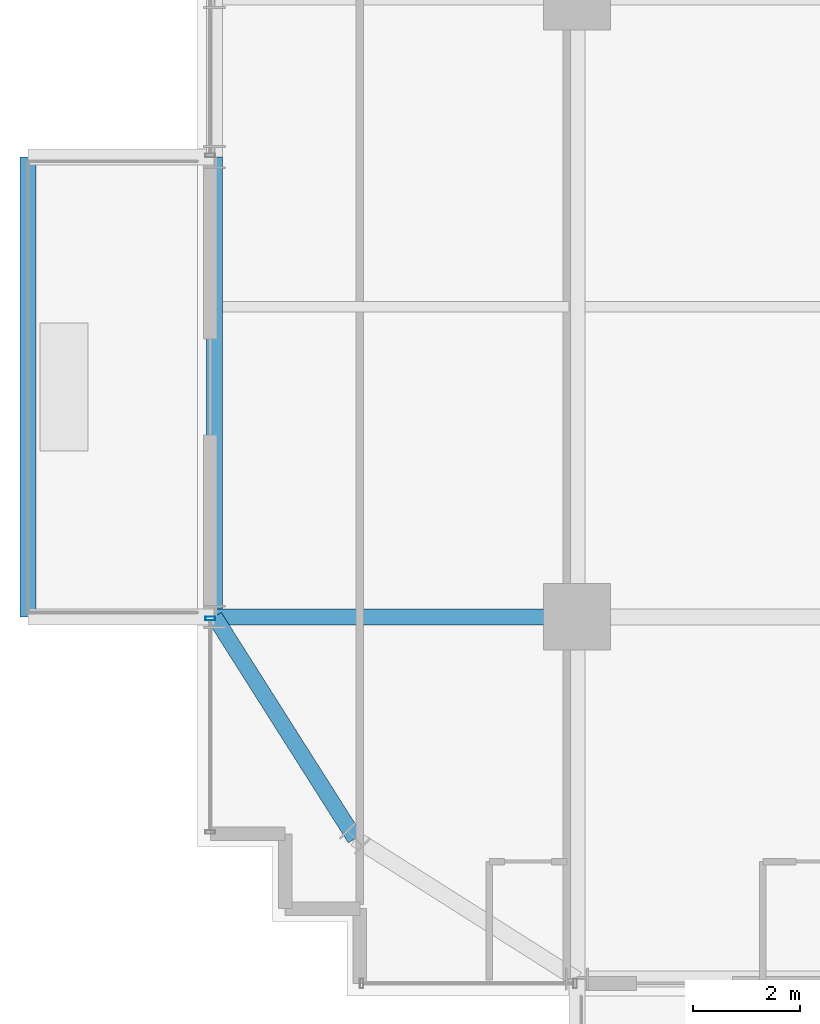
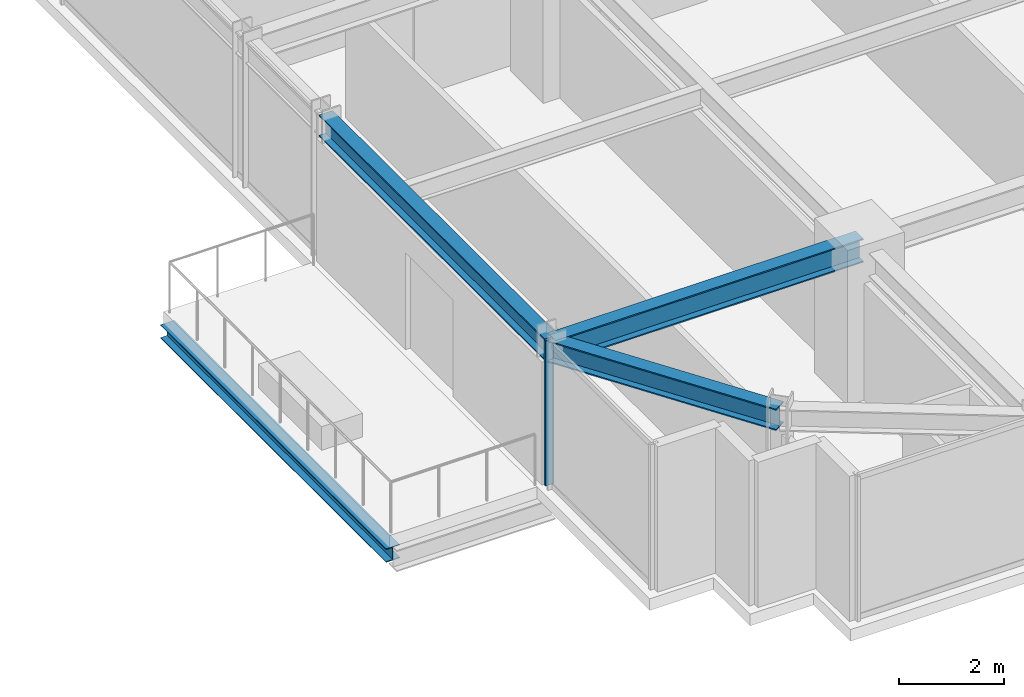
# One storey, part 4 of 32: 4 beams, 1 member, 1 element without a shape of its own.
"""IFC4 building model written with IfcOpenShell, lengths in metres."""

from ifc_helpers import new_model, si_unit, direction, frame, origin, origin_2d, place, context, subcontext, project, spatial, hollow_rectangle, i_section, extrude, source, transform, mapped, material, material_profile, profile_set, type_object, element, aggregate, save


model = new_model("IFC4")

# Units and contexts
model_context = context("Model", 3, precision=1e-05, world=origin(), true_north=direction((0.0, 1.0)))
body_context = subcontext(model_context, "Body", "Model", "MODEL_VIEW")
ifc_project = project(units=[si_unit("LENGTHUNIT", "METRE"), si_unit("AREAUNIT", "SQUARE_METRE"), si_unit("VOLUMEUNIT", "CUBIC_METRE"), si_unit("PLANEANGLEUNIT", "RADIAN"), si_unit("MASSUNIT", "GRAM", prefix="KILO")], contexts=[model_context])

# Site, building, storey
site_placement = place(None, origin())
site = spatial("IfcSite", under=ifc_project, at=site_placement, CompositionType="ELEMENT")
building_placement = place(site_placement, origin())
building = spatial("IfcBuilding", under=site, at=building_placement, Name="Nahalor Promenade Grand Hotel", CompositionType="ELEMENT")
storey_placement = place(building_placement, frame((0.0, 0.0, 124.800048828125)))
storey = spatial("IfcBuildingStorey", under=building, at=storey_placement, Name="L31", CompositionType="ELEMENT", Elevation=124.800048828125)

# Beams
ifc_material_1 = material(Name="Steel S355JR", Category="steel")
ifc_material_profile_1 = material_profile(ifc_material_1, i_section(OverallWidth=0.3, OverallDepth=0.32, WebThickness=0.0115, FlangeThickness=0.0205, at=origin_2d()), Name="HEB 320")
ifc_profile_set_1 = profile_set([ifc_material_profile_1], Name="Steel S355JR")
beam_type_1 = type_object("IfcBeamType", Name="Beam-BalcEdge-HEB320", PredefinedType="SPANDREL", material=ifc_profile_set_1)
shared_shape_1 = source(origin(), body_context, "Body", "SweptSolid", [
    extrude(i_section(OverallWidth=0.3, OverallDepth=0.32, WebThickness=0.0115, FlangeThickness=0.0205, at=origin_2d()), origin(), (0.0, 0.0, 1.0), 8.60009765625),
])
beam_1_placement = place(storey_placement, frame((-27.27001953125, -17.0, -0.43994140625), z_axis=(0.0, 1.0, 0.0), x_axis=(-1.0, 0.0, 0.0)))
element("IfcBeam", 1, at=beam_1_placement, inside=storey, type_object=beam_type_1, Name="BM-L31-BC-02-F", PredefinedType="SPANDREL", context=body_context, shape_type="MappedRepresentation", body=[
    mapped(shared_shape_1, transform((0.0, 0.0, 0.0), scale=1.0)),
])
ifc_material_profile_2 = material_profile(ifc_material_1, i_section(OverallWidth=0.3, OverallDepth=0.5, WebThickness=0.0145, FlangeThickness=0.028, at=origin_2d()), Name="HEB 500")
ifc_profile_set_2 = profile_set([ifc_material_profile_2], Name="Steel S355JR")
beam_type_2 = type_object("IfcBeamType", Name="Beam-Spandrel-HEB500", PredefinedType="SPANDREL", material=ifc_profile_set_2)
shared_shape_2 = source(origin(), body_context, "Body", "SweptSolid", [
    extrude(i_section(OverallWidth=0.3, OverallDepth=0.5, WebThickness=0.0145, FlangeThickness=0.028, at=origin_2d()), origin(), (0.0, 0.0, 1.0), 8.60009765625),
])
beam_2_placement = place(storey_placement, frame((-23.780029296875, -17.0, 3.1298828125), z_axis=(0.0, 1.0, 0.0), x_axis=(-1.0, 0.0, 0.0)))
element("IfcBeam", 2, at=beam_2_placement, inside=storey, type_object=beam_type_2, Name="BM-L31-SP-W-0", PredefinedType="SPANDREL", context=body_context, shape_type="MappedRepresentation", body=[
    mapped(shared_shape_2, transform((0.0, 0.0, 0.0), scale=1.0)),
])
shared_shape_3 = source(origin(), body_context, "Body", "SweptSolid", [
    extrude(i_section(OverallWidth=0.3, OverallDepth=0.5, WebThickness=0.0145, FlangeThickness=0.028, at=origin_2d()), origin(), (0.0, 0.0, 1.0), 4.9130859375),
])
beam_3_placement = place(storey_placement, frame((-21.14990234375, -21.14990234375, 3.1298828125), z_axis=(-0.535321591403, 0.844648325505, 0.0), x_axis=(-0.844648325505, -0.535321591403, 0.0)))
element("IfcBeam", 3, at=beam_3_placement, inside=storey, type_object=beam_type_2, Name="BM-L31-SPC-SW-2", PredefinedType="SPANDREL", context=body_context, shape_type="MappedRepresentation", body=[
    mapped(shared_shape_3, transform((0.0, 0.0, 0.0), scale=1.0)),
])
ifc_material_profile_3 = material_profile(ifc_material_1, i_section(OverallWidth=0.3, OverallDepth=0.55, WebThickness=0.015, FlangeThickness=0.029, at=origin_2d()), Name="HEB 550")
ifc_profile_set_3 = profile_set([ifc_material_profile_3], Name="Steel S355JR")
beam_type_3 = type_object("IfcBeamType", Name="Beam-Girder-HEB550", PredefinedType="BEAM", material=ifc_profile_set_3)
shared_shape_4 = source(origin(), body_context, "Body", "SweptSolid", [
    extrude(i_section(OverallWidth=0.3, OverallDepth=0.55, WebThickness=0.015, FlangeThickness=0.029, at=origin_2d()), origin(), (0.0, 0.0, 1.0), 6.780029296875),
])
beam_4_placement = place(storey_placement, frame((-23.780029296875, -17.0, 3.10498046875), z_axis=(1.0, 0.0, 0.0), x_axis=(0.0, 1.0, 0.0)))
element("IfcBeam", 4, at=beam_4_placement, inside=storey, type_object=beam_type_3, Name="BM-L31-GX-0-0", PredefinedType="BEAM", context=body_context, shape_type="MappedRepresentation", body=[
    mapped(shared_shape_4, transform((0.0, 0.0, 0.0), scale=1.0)),
])

# Curtain wall, member
ifc_material_2 = material(Name="Anodised Bronze Aluminium EN AW-6063 T6", Category="aluminium")
curtain_wall_type = type_object("IfcCurtainWallType", Name="CW2 Typical Hotel Flush Bronze Unitised Curtain Wall", PredefinedType="USERDEFINED", material=ifc_material_2)
curtain_wall_placement = place(storey_placement, origin())
curtain_wall = element("IfcCurtainWall", 5, at=curtain_wall_placement, inside=storey, type_object=curtain_wall_type, Name="L31 Curtain Wall CW-L31-W-1", ObjectType="UNITISED_CURTAIN_WALL", PredefinedType="USERDEFINED")
ifc_material_profile_4 = material_profile(ifc_material_2, hollow_rectangle(XDim=0.065, YDim=0.18, WallThickness=0.004, at=origin_2d()), Name="CWM 65x180x4")
ifc_profile_set_4 = profile_set([ifc_material_profile_4], Name="Anodised Bronze Aluminium EN AW-6063 T6")
member_type = type_object("IfcMemberType", Name="CWM2 Typical Bronze Mullion 65x180", PredefinedType="MULLION", material=ifc_profile_set_4)
shared_shape_5 = source(origin(), body_context, "Body", "SweptSolid", [
    extrude(hollow_rectangle(XDim=0.065, YDim=0.18, WallThickness=0.004, at=origin_2d()), origin(), (0.0, 0.0, 1.0), 3.3798828125),
])
member_placement = place(storey_placement, frame((-23.860107421875, -17.032470703125, 0.0), z_axis=(0.0, 0.0, 1.0), x_axis=(0.0, 1.0, 0.0)))
member = element("IfcMember", 6, at=member_placement, type_object=member_type, Name="CW-L31-W-1 Mullion 1", PredefinedType="MULLION", context=body_context, shape_type="MappedRepresentation", body=[
    mapped(shared_shape_5, transform((0.0, 0.0, 0.0), scale=1.0)),
])
aggregate(curtain_wall, [member])

save(model, "model.ifc")
